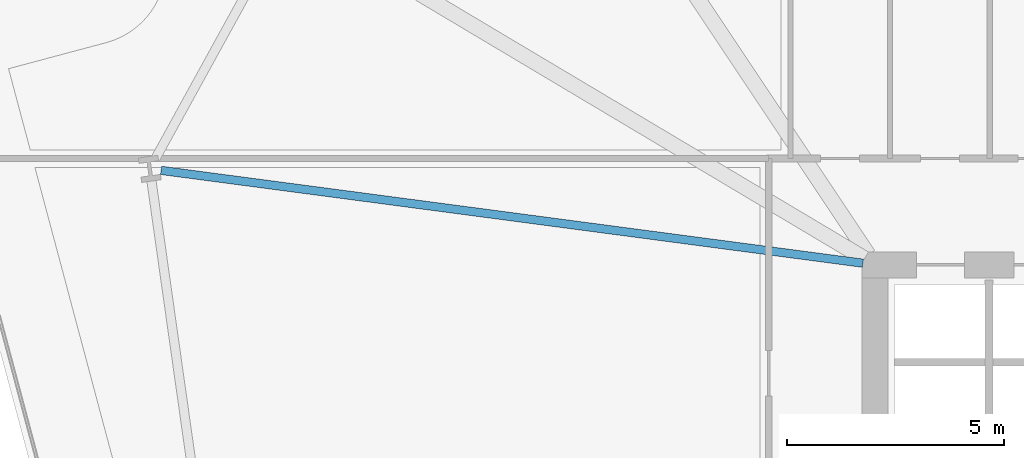
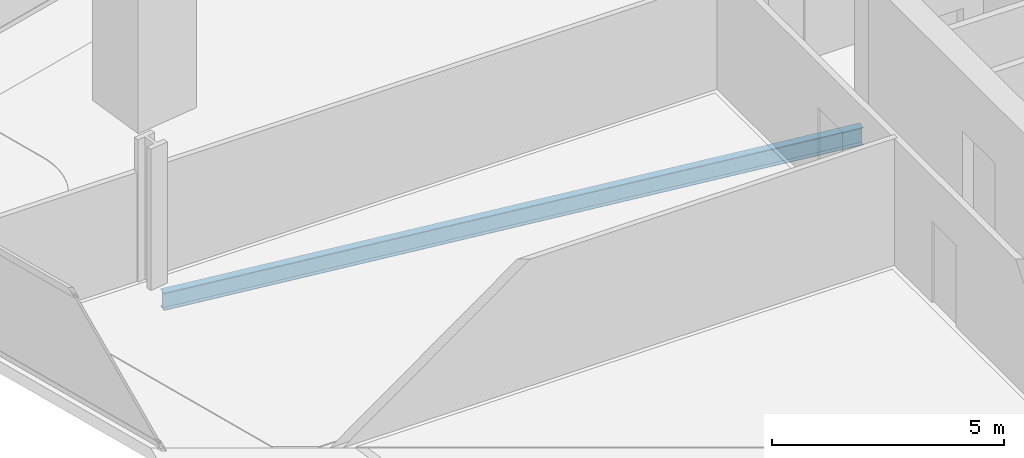
# One storey, part 14 of 33: 1 beam.
"""IFC4 building model written with IfcOpenShell, lengths in metres."""

import ifcopenshell
import ifcopenshell.guid

model = None  # the IFC model being written
_history = None  # IfcOwnerHistory: only IFC2X3 demands one
_inside = {}  # id of a spatial element -> (the spatial element, [elements in it])
_under = {}  # id of a project, library or spatial element -> (it, [spatial elements below it])
_declared = {}  # id of a project -> (the project, [libraries it declares])
_typed = {}  # id of a type object -> (the type object, [elements of that type])
_made_of = {}  # id of a material, layer set ... -> (it, [elements and type objects made of it])


def new_model(schema):
    """Start an empty IFC model of exactly this schema.

    Asked for "IFC4X3", IfcOpenShell would pick the latest addendum, in which some entities
    have other attributes; the version numbers below select the first issue.
    IFC2X3 requires an IfcOwnerHistory on every rooted entity: one is made here for all.
    """
    global model, _history
    if schema == "IFC4X3":
        model = ifcopenshell.file(schema_version=(4, 3, 0, 0))
    else:
        model = ifcopenshell.file(schema=schema)
    _inside.clear()
    _under.clear()
    _declared.clear()
    _typed.clear()
    _made_of.clear()
    _history = None
    if model.schema == "IFC2X3":
        org = make("IfcOrganization", Name="unknown")
        user = make(
            "IfcPersonAndOrganization",
            ThePerson=make("IfcPerson", FamilyName="unknown"),
            TheOrganization=org,
        )
        app = make(
            "IfcApplication",
            ApplicationDeveloper=org,
            Version="unknown",
            ApplicationFullName="unknown",
            ApplicationIdentifier="unknown",
        )
        _history = make(
            "IfcOwnerHistory",
            OwningUser=user,
            OwningApplication=app,
            ChangeAction="ADDED",
            CreationDate=0,
        )
    return model


def make(cls, **values):
    """One entity of the class cls with the attributes given. An attribute that is None is left unset."""
    return model.create_entity(
        cls, **{name: value for name, value in values.items() if value is not None}
    )


def rooted(cls, **values):
    """An entity with a GlobalId (a new one), such as an element, a storey or a relation."""
    return make(cls, GlobalId=ifcopenshell.guid.new(), OwnerHistory=_history, **values)


def si_unit(unit_type, name, prefix=None):
    """IfcSIUnit, for example si_unit("LENGTHUNIT", "METRE", prefix="MILLI")."""
    return make("IfcSIUnit", UnitType=unit_type, Prefix=prefix, Name=name)


def assignment(units):
    """IfcUnitAssignment: the units of a project."""
    return None if units is None else make("IfcUnitAssignment", Units=units)


def point(xyz):
    """IfcCartesianPoint."""
    return None if xyz is None else make("IfcCartesianPoint", Coordinates=xyz)


def direction(xyz):
    """IfcDirection."""
    return None if xyz is None else make("IfcDirection", DirectionRatios=xyz)


def frame(location, z_axis=None, x_axis=None):
    """IfcAxis2Placement3D, a coordinate frame: its origin and axes. An axis left out is left unset."""
    return make(
        "IfcAxis2Placement3D",
        Location=point(location),
        Axis=direction(z_axis),
        RefDirection=direction(x_axis),
    )


def frame_2d(location, x_axis=None):
    """IfcAxis2Placement2D, a coordinate frame in the plane: its origin and x axis."""
    return make(
        "IfcAxis2Placement2D", Location=point(location), RefDirection=direction(x_axis)
    )


def origin():
    """The frame at (0, 0, 0) with its axes left unset."""
    return frame((0.0, 0.0, 0.0))


def origin_2d():
    """The frame at (0, 0) in the plane with its x axis left unset."""
    return frame_2d((0.0, 0.0))


def place(relative_to, where):
    """IfcLocalPlacement: puts the frame where relative to a parent placement (None: the world)."""
    return make(
        "IfcLocalPlacement", PlacementRelTo=relative_to, RelativePlacement=where
    )


def context(
    kind, dimensions, precision=None, world=None, true_north=None, identifier=None
):
    """IfcGeometricRepresentationContext, for example the 3D "Model" context."""
    return make(
        "IfcGeometricRepresentationContext",
        ContextIdentifier=identifier,
        ContextType=kind,
        CoordinateSpaceDimension=dimensions,
        Precision=precision,
        WorldCoordinateSystem=world,
        TrueNorth=true_north,
    )


def subcontext(parent, identifier, kind, view, scale=None):
    """IfcGeometricRepresentationSubContext, for example "Body" below "Model"."""
    return make(
        "IfcGeometricRepresentationSubContext",
        ContextIdentifier=identifier,
        ContextType=kind,
        ParentContext=parent,
        TargetScale=scale,
        TargetView=view,
    )


def project(units=None, contexts=None):
    """IfcProject with its units and contexts."""
    return rooted(
        "IfcProject",
        Name="project",
        RepresentationContexts=contexts,
        UnitsInContext=assignment(units),
    )


def spatial(cls, under=None, at=None, **own):
    """A site, building, storey or space (cls), placed at a placement, below another one or the project."""
    s = rooted(cls, ObjectPlacement=at, **own)
    if under is not None:
        _under.setdefault(under.id(), (under, []))[1].append(s)
    return s


def profile(cls, at=None, kind="AREA", **sizes):
    """A parametric profile (cls). Its sizes go by their IFC names, for example OverallWidth=200.0."""
    return make(cls, ProfileType=kind, Position=at, **sizes)


def i_section(**sizes):
    """IfcIShapeProfileDef."""
    return profile("IfcIShapeProfileDef", **sizes)


def extrude(swept, where, along, depth):
    """IfcExtrudedAreaSolid: the profile swept, set in the frame where, extruded along a direction by depth."""
    return make(
        "IfcExtrudedAreaSolid",
        SweptArea=swept,
        Position=where,
        ExtrudedDirection=direction(along),
        Depth=depth,
    )


def shape(context_of_items, identifier, shape_type, items):
    """IfcShapeRepresentation: the items that make up one representation, for example the "Body"."""
    return make(
        "IfcShapeRepresentation",
        ContextOfItems=context_of_items,
        RepresentationIdentifier=identifier,
        RepresentationType=shape_type,
        Items=items,
    )


def material(Name=None, Category=None):
    """IfcMaterial."""
    return make("IfcMaterial", Name=Name, Category=Category)


def material_profile(
    of_material, cross_section, Name=None, Category=None, Priority=None
):
    """IfcMaterialProfile: a cross section and its material."""
    return make(
        "IfcMaterialProfile",
        Name=Name,
        Material=of_material,
        Profile=cross_section,
        Priority=Priority,
        Category=Category,
    )


def profile_set(profiles, Name=None, composite=None):
    """IfcMaterialProfileSet."""
    return make(
        "IfcMaterialProfileSet",
        Name=Name,
        MaterialProfiles=profiles,
        CompositeProfile=composite,
    )


def made_of(thing, what):
    """Note that an element or type object is made of a material, layer set ...; save() writes the relation."""
    if what is not None:
        _made_of.setdefault(what.id(), (what, []))[1].append(thing)
    return thing


def type_object(cls, material=None, **own):
    """A type object (cls), such as IfcWallType, which elements share."""
    return made_of(rooted(cls, **own), material)


def element(
    cls,
    number,
    at=None,
    inside=None,
    cuts=None,
    type_object=None,
    material=None,
    context=None,
    identifier="Body",
    shape_type=None,
    held_by="IfcProductDefinitionShape",
    body=None,
    shapes=None,
    **own,
):
    """One element of the class cls, such as IfcWall. Its Tag is "e" and its number.

    at: its placement. inside: the storey or other place that contains it. cuts: it is an
    opening in that element (IfcRelVoidsElement). A single representation is given by context,
    identifier, shape_type and body (its items); several are given by shapes. held_by: the class
    of the entity that holds the representations. save() writes the other relations.
    """
    e = rooted(cls, Tag="e%d" % number, ObjectPlacement=at, **own)
    if body is not None:
        shapes = [shape(context, identifier, shape_type, body)]
    if shapes is not None:
        e.Representation = make(held_by, Representations=shapes)
    if inside is not None:
        _inside.setdefault(inside.id(), (inside, []))[1].append(e)
    if cuts is not None:
        rooted(
            "IfcRelVoidsElement", RelatingBuildingElement=cuts, RelatedOpeningElement=e
        )
    if type_object is not None:
        _typed.setdefault(type_object.id(), (type_object, []))[1].append(e)
    return made_of(e, material)


def aggregate(whole, parts):
    """IfcRelAggregates: a whole, such as a stair, and the parts it consists of."""
    return rooted("IfcRelAggregates", RelatingObject=whole, RelatedObjects=parts)


def save(model, path):
    """Write the relations noted so far, then the file.

    IfcRelAggregates (storeys below a building ...), IfcRelContainedInSpatialStructure (elements
    in a storey), IfcRelDefinesByType, IfcRelAssociatesMaterial and IfcRelDeclares: one each for
    every whole, place, type object, material and project.
    """
    for whole, parts in _under.values():
        aggregate(whole, parts)
    for where, things in _inside.values():
        rooted(
            "IfcRelContainedInSpatialStructure",
            RelatedElements=things,
            RelatingStructure=where,
        )
    for kind, things in _typed.values():
        rooted("IfcRelDefinesByType", RelatedObjects=things, RelatingType=kind)
    for what, things in _made_of.values():
        rooted("IfcRelAssociatesMaterial", RelatedObjects=things, RelatingMaterial=what)
    for by, libraries in _declared.values():
        rooted("IfcRelDeclares", RelatingContext=by, RelatedDefinitions=libraries)
    model.write(path)


model = new_model("IFC4")

# Units and contexts
model_context = context("Model", 3, precision=1e-05, world=origin(), true_north=direction((0.0, 1.0)))
body_context = subcontext(model_context, "Body", "Model", "MODEL_VIEW")
ifc_project = project(units=[si_unit("LENGTHUNIT", "METRE"), si_unit("AREAUNIT", "SQUARE_METRE"), si_unit("VOLUMEUNIT", "CUBIC_METRE"), si_unit("PLANEANGLEUNIT", "RADIAN"), si_unit("MASSUNIT", "GRAM", prefix="KILO")], contexts=[model_context])

# Site, building, storey
site_placement = place(None, origin())
site = spatial("IfcSite", under=ifc_project, at=site_placement, CompositionType="ELEMENT")
building_placement = place(site_placement, origin())
building = spatial("IfcBuilding", under=site, at=building_placement, Name="Haldenkirk Collegiate Tower", CompositionType="ELEMENT")
storey_placement = place(building_placement, frame((0.0, 0.0, 77.699951171875)))
storey = spatial("IfcBuildingStorey", under=building, at=storey_placement, Name="L18", CompositionType="ELEMENT", Elevation=77.699951171875)

# Beam
ifc_material = material(Name="Steel ASTM A992 Grade 50", Category="steel")
ifc_material_profile = material_profile(ifc_material, i_section(OverallWidth=0.19189453125, OverallDepth=0.462890625, WebThickness=0.010498046875, FlangeThickness=0.017578125, at=origin_2d()), Name="W18X60")
ifc_profile_set = profile_set([ifc_material_profile], Name="Steel ASTM A992 Grade 50")
beam_type = type_object("IfcBeamType", Name="BM-JOIST-W18X60", PredefinedType="JOIST", material=ifc_profile_set)
beam_placement = place(storey_placement, frame((10.5283203125, 36.17822265625, -0.54150390625), z_axis=(0.991368569067, -0.131104386906, 0.0), x_axis=(0.131104386906, 0.991368569067, 0.0)))
element("IfcBeam", 1, at=beam_placement, inside=storey, type_object=beam_type, Name="L18 composite floor joist 14", PredefinedType="JOIST", context=body_context, shape_type="SweptSolid", body=[
    extrude(i_section(OverallWidth=0.19189453125, OverallDepth=0.462890625, WebThickness=0.010498046875, FlangeThickness=0.017578125, at=origin_2d()), origin(), (0.0, 0.0, 1.0), 16.335205078125),
])

save(model, "model.ifc")
